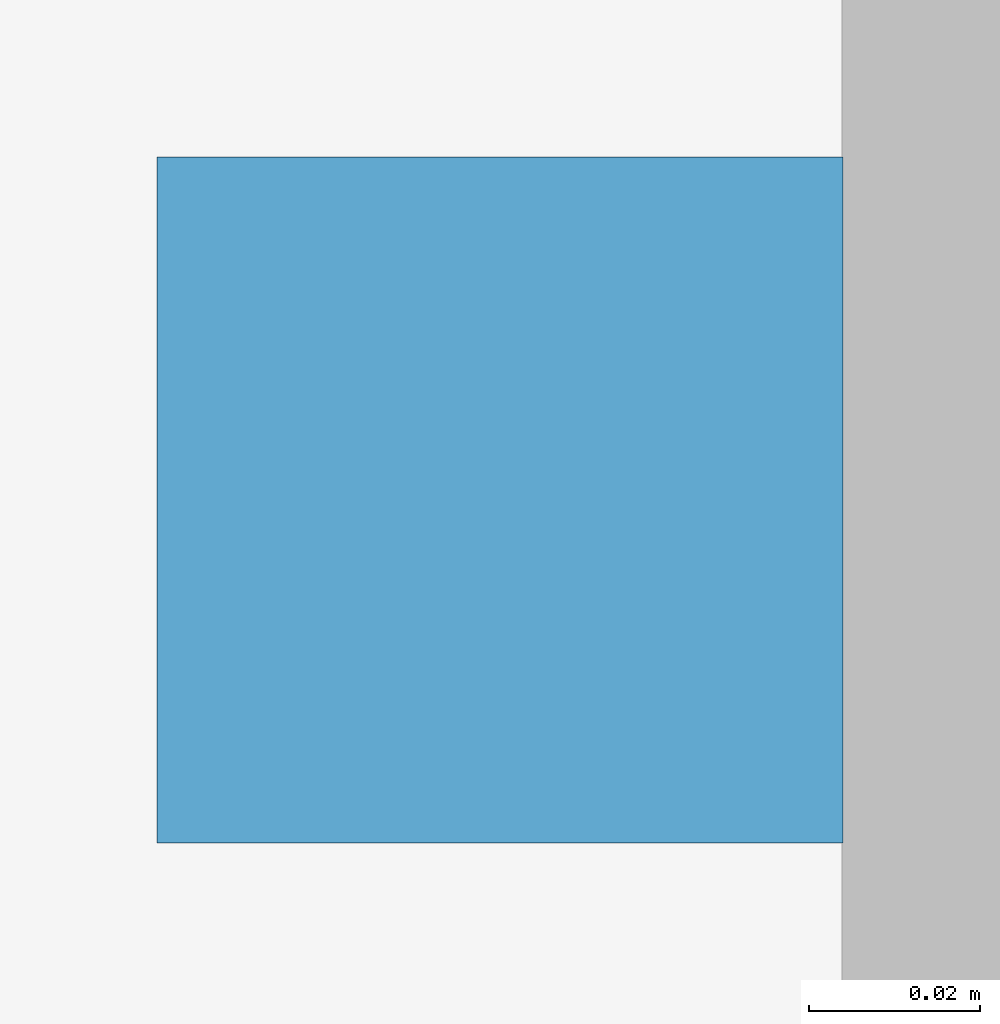
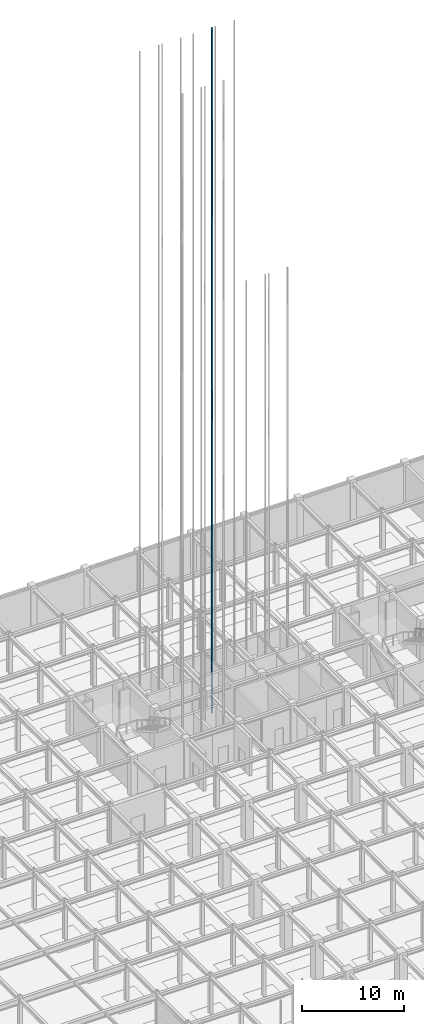
# One storey, part 61 of 69: 1 discrete accessory.
"""IFC4 building model written with IfcOpenShell, lengths in metres."""

from ifc_helpers import new_model, si_unit, direction, frame, origin, origin_2d, place, context, subcontext, project, spatial, rectangle, extrude, material, type_object, element, save


model = new_model("IFC4")

# Units and contexts
model_context = context("Model", 3, precision=1e-05, world=origin(), true_north=direction((0.0, 1.0)))
body_context = subcontext(model_context, "Body", "Model", "MODEL_VIEW")
ifc_project = project(units=[si_unit("LENGTHUNIT", "METRE"), si_unit("AREAUNIT", "SQUARE_METRE"), si_unit("VOLUMEUNIT", "CUBIC_METRE"), si_unit("PLANEANGLEUNIT", "RADIAN"), si_unit("MASSUNIT", "GRAM", prefix="KILO")], contexts=[model_context])

# Site, building, storey
site_placement = place(None, origin())
site = spatial("IfcSite", under=ifc_project, at=site_placement, CompositionType="ELEMENT")
building_placement = place(site_placement, origin())
building = spatial("IfcBuilding", under=site, at=building_placement, Name="Zlatovratsky Civic Hall", CompositionType="ELEMENT")
storey_placement = place(building_placement, frame((0.0, 0.0, -4.800048828125)))
storey = spatial("IfcBuildingStorey", under=building, at=storey_placement, Name="B1", CompositionType="ELEMENT", Elevation=-4.800048828125)

# Discrete accessory
ifc_material = material(Name="Steel S355", Category="steel")
discrete_accessory_type = type_object("IfcDiscreteAccessoryType", Name="Lift_GuideRail", PredefinedType="USERDEFINED", material=ifc_material)
discrete_accessory_placement = place(storey_placement, frame((80.81005859375, 94.14990234375, -1.60009765625), z_axis=(0.0, 0.0, 1.0), x_axis=(1.0, 0.0, 0.0)))
element("IfcDiscreteAccessory", 1, at=discrete_accessory_placement, inside=storey, type_object=discrete_accessory_type, Name="Lift Guide Rail LP-03 R", ObjectType="GUIDE RAIL", PredefinedType="USERDEFINED", context=body_context, shape_type="SweptSolid", body=[
    extrude(rectangle(XDim=0.080078125, YDim=0.080078125, at=origin_2d()), origin(), (0.0, 0.0, 1.0), 81.60009765625),
])

save(model, "model.ifc")
